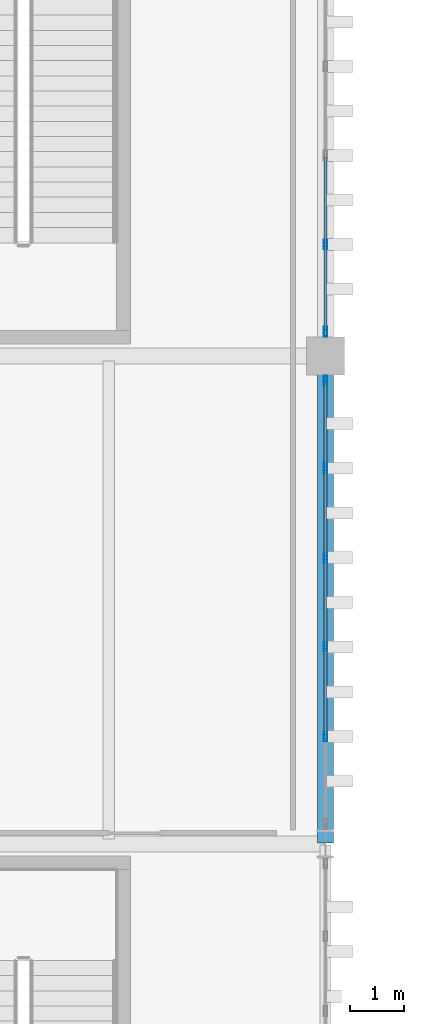
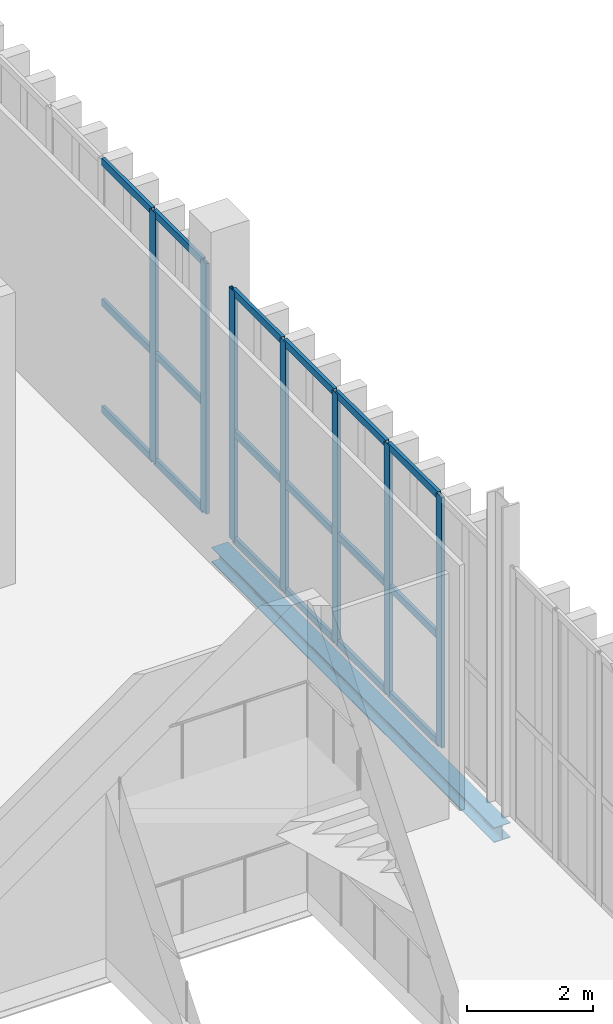
# One storey, part 161 of 237: 25 members, 1 beam, 2 elements without a shape of their own.
"""IFC4 building model written with IfcOpenShell, lengths in metres."""

from ifc_helpers import new_model, si_unit, direction, frame, origin, origin_2d, place, context, subcontext, project, spatial, hollow_rectangle, i_section, extrude, material, layer, layer_set, material_profile, profile_set, type_object, element, aggregate, save


model = new_model("IFC4")

# Units and contexts
model_context = context("Model", 3, precision=1e-05, world=origin(), true_north=direction((0.0, 1.0)))
body_context = subcontext(model_context, "Body", "Model", "MODEL_VIEW")
ifc_project = project(units=[si_unit("LENGTHUNIT", "METRE"), si_unit("AREAUNIT", "SQUARE_METRE"), si_unit("VOLUMEUNIT", "CUBIC_METRE"), si_unit("PLANEANGLEUNIT", "RADIAN"), si_unit("MASSUNIT", "GRAM", prefix="KILO")], contexts=[model_context])

# Site, building, storey
site_placement = place(None, origin())
site = spatial("IfcSite", under=ifc_project, at=site_placement, CompositionType="ELEMENT")
building_placement = place(site_placement, origin())
building = spatial("IfcBuilding", under=site, at=building_placement, Name="Barlavento Convention Centre", CompositionType="ELEMENT")
storey_placement = place(building_placement, frame((0.0, 0.0, 12.0)))
storey = spatial("IfcBuildingStorey", under=building, at=storey_placement, Name="L02", CompositionType="ELEMENT", Elevation=12.0)

# Curtain wall, members
ifc_material_1 = material(Name="Powder-coated aluminium and Low-E glass", Category="aluminium")
ifc_layer = layer(ifc_material_1, 0.195068359375)
ifc_layer_set = layer_set([ifc_layer], Name="ARC-CW-BALL-L02")
curtain_wall_type = type_object("IfcCurtainWallType", Name="ARC-CW-BALL-L02", PredefinedType="NOTDEFINED", material=ifc_layer_set)
curtain_wall_1_placement = place(storey_placement, origin())
curtain_wall_1 = element("IfcCurtainWall", 1, at=curtain_wall_1_placement, inside=storey, type_object=curtain_wall_type, Name="L02 unitised curtain wall CW07", PredefinedType="NOTDEFINED")
ifc_material_2 = material(Name="Powder-coated aluminium", Category="aluminium")
ifc_material_profile_1 = material_profile(ifc_material_2, hollow_rectangle(XDim=0.06005859375, YDim=0.179931640625, WallThickness=0.0048828125, at=origin_2d()), Name="AL-MULL 60x180x5")
ifc_profile_set_1 = profile_set([ifc_material_profile_1], Name="Powder-coated aluminium")
member_type_1 = type_object("IfcMemberType", Name="ARC-CWM-60X180", PredefinedType="MULLION", material=ifc_profile_set_1)
member_1_placement = place(storey_placement, frame((192.0, 64.981689453125, 0.0), z_axis=(0.0, 0.0, 1.0), x_axis=(-1.0, 0.0, 0.0)))
member_1 = element("IfcMember", 2, at=member_1_placement, type_object=member_type_1, Name="CW07 mullion 2", PredefinedType="MULLION", context=body_context, shape_type="SweptSolid", body=[
    extrude(hollow_rectangle(XDim=0.06005859375, YDim=0.179931640625, WallThickness=0.0048828125, at=origin_2d()), origin(), (0.0, 0.0, 1.0), 4.85009765625),
])
member_2_placement = place(storey_placement, frame((192.0, 66.631103515625, 0.0), z_axis=(0.0, 0.0, 1.0), x_axis=(-1.0, 0.0, 0.0)))
member_2 = element("IfcMember", 3, at=member_2_placement, type_object=member_type_1, Name="CW07 mullion 3", PredefinedType="MULLION", context=body_context, shape_type="SweptSolid", body=[
    extrude(hollow_rectangle(XDim=0.06005859375, YDim=0.179931640625, WallThickness=0.0048828125, at=origin_2d()), origin(), (0.0, 0.0, 1.0), 4.85009765625),
])
member_3_placement = place(storey_placement, frame((192.0, 68.28076171875, 0.0), z_axis=(0.0, 0.0, 1.0), x_axis=(-1.0, 0.0, 0.0)))
member_3 = element("IfcMember", 4, at=member_3_placement, type_object=member_type_1, Name="CW07 mullion 4", PredefinedType="MULLION", context=body_context, shape_type="SweptSolid", body=[
    extrude(hollow_rectangle(XDim=0.06005859375, YDim=0.179931640625, WallThickness=0.0048828125, at=origin_2d()), origin(), (0.0, 0.0, 1.0), 4.85009765625),
])
member_4_placement = place(storey_placement, frame((192.0, 69.930419921875, 0.0), z_axis=(0.0, 0.0, 1.0), x_axis=(-1.0, 0.0, 0.0)))
member_4 = element("IfcMember", 5, at=member_4_placement, type_object=member_type_1, Name="CW07 mullion 5", PredefinedType="MULLION", context=body_context, shape_type="SweptSolid", body=[
    extrude(hollow_rectangle(XDim=0.06005859375, YDim=0.179931640625, WallThickness=0.0048828125, at=origin_2d()), origin(), (0.0, 0.0, 1.0), 4.85009765625),
])
member_5_placement = place(storey_placement, frame((192.0, 71.550048828125, 0.0), z_axis=(0.0, 0.0, 1.0), x_axis=(-1.0, 0.0, 0.0)))
member_5 = element("IfcMember", 6, at=member_5_placement, type_object=member_type_1, Name="CW07 mullion 6", PredefinedType="MULLION", context=body_context, shape_type="SweptSolid", body=[
    extrude(hollow_rectangle(XDim=0.06005859375, YDim=0.179931640625, WallThickness=0.0048828125, at=origin_2d()), origin(), (0.0, 0.0, 1.0), 4.85009765625),
])

curtain_wall_2_placement = place(storey_placement, origin())
curtain_wall_2 = element("IfcCurtainWall", 7, at=curtain_wall_2_placement, inside=storey, type_object=curtain_wall_type, Name="L02 unitised curtain wall CW07", PredefinedType="NOTDEFINED")
member_6_placement = place(storey_placement, frame((192.0, 72.449951171875, 0.0), z_axis=(0.0, 0.0, 1.0), x_axis=(-1.0, 0.0, 0.0)))
member_6 = element("IfcMember", 8, at=member_6_placement, type_object=member_type_1, Name="CW07 mullion 1", PredefinedType="MULLION", context=body_context, shape_type="SweptSolid", body=[
    extrude(hollow_rectangle(XDim=0.06005859375, YDim=0.179931640625, WallThickness=0.0048828125, at=origin_2d()), origin(), (0.0, 0.0, 1.0), 4.85009765625),
])
member_7_placement = place(storey_placement, frame((192.0, 74.06005859375, 0.0), z_axis=(0.0, 0.0, 1.0), x_axis=(-1.0, 0.0, 0.0)))
member_7 = element("IfcMember", 9, at=member_7_placement, type_object=member_type_1, Name="CW07 mullion 2", PredefinedType="MULLION", context=body_context, shape_type="SweptSolid", body=[
    extrude(hollow_rectangle(XDim=0.06005859375, YDim=0.179931640625, WallThickness=0.0048828125, at=origin_2d()), origin(), (0.0, 0.0, 1.0), 4.85009765625),
])

# Member
ifc_material_profile_2 = material_profile(ifc_material_2, hollow_rectangle(XDim=0.06005859375, YDim=0.139892578125, WallThickness=0.00390625, at=origin_2d()), Name="AL-TRAN 60x140x4")
ifc_profile_set_2 = profile_set([ifc_material_profile_2], Name="Powder-coated aluminium")
member_type_2 = type_object("IfcMemberType", Name="ARC-CWT-60X140", PredefinedType="USERDEFINED", material=ifc_profile_set_2)
member_8_placement = place(storey_placement, frame((192.0, 65.01171875, 0.030029296875), z_axis=(0.0, 1.0, 0.0), x_axis=(-1.0, 0.0, 0.0)))
member_8 = element("IfcMember", 10, at=member_8_placement, type_object=member_type_2, Name="CW07 transom 2.1", ObjectType="TRANSOM", PredefinedType="USERDEFINED", context=body_context, shape_type="SweptSolid", body=[
    extrude(hollow_rectangle(XDim=0.06005859375, YDim=0.139892578125, WallThickness=0.00390625, at=origin_2d()), origin(), (0.0, 0.0, 1.0), 1.589599609375),
])

member_9_placement = place(storey_placement, frame((192.0, 65.01171875, 2.10009765625), z_axis=(0.0, 1.0, 0.0), x_axis=(-1.0, 0.0, 0.0)))
member_9 = element("IfcMember", 11, at=member_9_placement, type_object=member_type_2, Name="CW07 transom 2.2", ObjectType="TRANSOM", PredefinedType="USERDEFINED", context=body_context, shape_type="SweptSolid", body=[
    extrude(hollow_rectangle(XDim=0.06005859375, YDim=0.139892578125, WallThickness=0.00390625, at=origin_2d()), origin(), (0.0, 0.0, 1.0), 1.589599609375),
])

member_10_placement = place(storey_placement, frame((192.0, 65.01171875, 4.820068359375), z_axis=(0.0, 1.0, 0.0), x_axis=(-1.0, 0.0, 0.0)))
member_10 = element("IfcMember", 12, at=member_10_placement, type_object=member_type_2, Name="CW07 transom 2.3", ObjectType="TRANSOM", PredefinedType="USERDEFINED", context=body_context, shape_type="SweptSolid", body=[
    extrude(hollow_rectangle(XDim=0.06005859375, YDim=0.139892578125, WallThickness=0.00390625, at=origin_2d()), origin(), (0.0, 0.0, 1.0), 1.589599609375),
])

member_11_placement = place(storey_placement, frame((192.0, 66.6611328125, 0.030029296875), z_axis=(0.0, 1.0, 0.0), x_axis=(-1.0, 0.0, 0.0)))
member_11 = element("IfcMember", 13, at=member_11_placement, type_object=member_type_2, Name="CW07 transom 3.1", ObjectType="TRANSOM", PredefinedType="USERDEFINED", context=body_context, shape_type="SweptSolid", body=[
    extrude(hollow_rectangle(XDim=0.06005859375, YDim=0.139892578125, WallThickness=0.00390625, at=origin_2d()), origin(), (0.0, 0.0, 1.0), 1.589599609375),
])

member_12_placement = place(storey_placement, frame((192.0, 66.6611328125, 2.10009765625), z_axis=(0.0, 1.0, 0.0), x_axis=(-1.0, 0.0, 0.0)))
member_12 = element("IfcMember", 14, at=member_12_placement, type_object=member_type_2, Name="CW07 transom 3.2", ObjectType="TRANSOM", PredefinedType="USERDEFINED", context=body_context, shape_type="SweptSolid", body=[
    extrude(hollow_rectangle(XDim=0.06005859375, YDim=0.139892578125, WallThickness=0.00390625, at=origin_2d()), origin(), (0.0, 0.0, 1.0), 1.589599609375),
])

member_13_placement = place(storey_placement, frame((192.0, 66.6611328125, 4.820068359375), z_axis=(0.0, 1.0, 0.0), x_axis=(-1.0, 0.0, 0.0)))
member_13 = element("IfcMember", 15, at=member_13_placement, type_object=member_type_2, Name="CW07 transom 3.3", ObjectType="TRANSOM", PredefinedType="USERDEFINED", context=body_context, shape_type="SweptSolid", body=[
    extrude(hollow_rectangle(XDim=0.06005859375, YDim=0.139892578125, WallThickness=0.00390625, at=origin_2d()), origin(), (0.0, 0.0, 1.0), 1.589599609375),
])

member_14_placement = place(storey_placement, frame((192.0, 68.310791015625, 0.030029296875), z_axis=(0.0, 1.0, 0.0), x_axis=(-1.0, 0.0, 0.0)))
member_14 = element("IfcMember", 16, at=member_14_placement, type_object=member_type_2, Name="CW07 transom 4.1", ObjectType="TRANSOM", PredefinedType="USERDEFINED", context=body_context, shape_type="SweptSolid", body=[
    extrude(hollow_rectangle(XDim=0.06005859375, YDim=0.139892578125, WallThickness=0.00390625, at=origin_2d()), origin(), (0.0, 0.0, 1.0), 1.589599609375),
])

member_15_placement = place(storey_placement, frame((192.0, 68.310791015625, 2.10009765625), z_axis=(0.0, 1.0, 0.0), x_axis=(-1.0, 0.0, 0.0)))
member_15 = element("IfcMember", 17, at=member_15_placement, type_object=member_type_2, Name="CW07 transom 4.2", ObjectType="TRANSOM", PredefinedType="USERDEFINED", context=body_context, shape_type="SweptSolid", body=[
    extrude(hollow_rectangle(XDim=0.06005859375, YDim=0.139892578125, WallThickness=0.00390625, at=origin_2d()), origin(), (0.0, 0.0, 1.0), 1.589599609375),
])

member_16_placement = place(storey_placement, frame((192.0, 68.310791015625, 4.820068359375), z_axis=(0.0, 1.0, 0.0), x_axis=(-1.0, 0.0, 0.0)))
member_16 = element("IfcMember", 18, at=member_16_placement, type_object=member_type_2, Name="CW07 transom 4.3", ObjectType="TRANSOM", PredefinedType="USERDEFINED", context=body_context, shape_type="SweptSolid", body=[
    extrude(hollow_rectangle(XDim=0.06005859375, YDim=0.139892578125, WallThickness=0.00390625, at=origin_2d()), origin(), (0.0, 0.0, 1.0), 1.589599609375),
])

member_17_placement = place(storey_placement, frame((192.0, 69.96044921875, 0.030029296875), z_axis=(0.0, 1.0, 0.0), x_axis=(-1.0, 0.0, 0.0)))
member_17 = element("IfcMember", 19, at=member_17_placement, type_object=member_type_2, Name="CW07 transom 5.1", ObjectType="TRANSOM", PredefinedType="USERDEFINED", context=body_context, shape_type="SweptSolid", body=[
    extrude(hollow_rectangle(XDim=0.06005859375, YDim=0.139892578125, WallThickness=0.00390625, at=origin_2d()), origin(), (0.0, 0.0, 1.0), 1.5595703125),
])

member_18_placement = place(storey_placement, frame((192.0, 69.96044921875, 2.10009765625), z_axis=(0.0, 1.0, 0.0), x_axis=(-1.0, 0.0, 0.0)))
member_18 = element("IfcMember", 20, at=member_18_placement, type_object=member_type_2, Name="CW07 transom 5.2", ObjectType="TRANSOM", PredefinedType="USERDEFINED", context=body_context, shape_type="SweptSolid", body=[
    extrude(hollow_rectangle(XDim=0.06005859375, YDim=0.139892578125, WallThickness=0.00390625, at=origin_2d()), origin(), (0.0, 0.0, 1.0), 1.5595703125),
])

member_19_placement = place(storey_placement, frame((192.0, 69.96044921875, 4.820068359375), z_axis=(0.0, 1.0, 0.0), x_axis=(-1.0, 0.0, 0.0)))
member_19 = element("IfcMember", 21, at=member_19_placement, type_object=member_type_2, Name="CW07 transom 5.3", ObjectType="TRANSOM", PredefinedType="USERDEFINED", context=body_context, shape_type="SweptSolid", body=[
    extrude(hollow_rectangle(XDim=0.06005859375, YDim=0.139892578125, WallThickness=0.00390625, at=origin_2d()), origin(), (0.0, 0.0, 1.0), 1.5595703125),
])

aggregate(curtain_wall_1, [member_1, member_2, member_3, member_4, member_5, member_8, member_9, member_10, member_11, member_12, member_13, member_14, member_15, member_16, member_17, member_18, member_19])

member_20_placement = place(storey_placement, frame((192.0, 72.47998046875, 0.030029296875), z_axis=(0.0, 1.0, 0.0), x_axis=(-1.0, 0.0, 0.0)))
member_20 = element("IfcMember", 22, at=member_20_placement, type_object=member_type_2, Name="CW07 transom 1.1", ObjectType="TRANSOM", PredefinedType="USERDEFINED", context=body_context, shape_type="SweptSolid", body=[
    extrude(hollow_rectangle(XDim=0.06005859375, YDim=0.139892578125, WallThickness=0.00390625, at=origin_2d()), origin(), (0.0, 0.0, 1.0), 1.550048828125),
])

member_21_placement = place(storey_placement, frame((192.0, 72.47998046875, 2.10009765625), z_axis=(0.0, 1.0, 0.0), x_axis=(-1.0, 0.0, 0.0)))
member_21 = element("IfcMember", 23, at=member_21_placement, type_object=member_type_2, Name="CW07 transom 1.2", ObjectType="TRANSOM", PredefinedType="USERDEFINED", context=body_context, shape_type="SweptSolid", body=[
    extrude(hollow_rectangle(XDim=0.06005859375, YDim=0.139892578125, WallThickness=0.00390625, at=origin_2d()), origin(), (0.0, 0.0, 1.0), 1.550048828125),
])

member_22_placement = place(storey_placement, frame((192.0, 72.47998046875, 4.820068359375), z_axis=(0.0, 1.0, 0.0), x_axis=(-1.0, 0.0, 0.0)))
member_22 = element("IfcMember", 24, at=member_22_placement, type_object=member_type_2, Name="CW07 transom 1.3", ObjectType="TRANSOM", PredefinedType="USERDEFINED", context=body_context, shape_type="SweptSolid", body=[
    extrude(hollow_rectangle(XDim=0.06005859375, YDim=0.139892578125, WallThickness=0.00390625, at=origin_2d()), origin(), (0.0, 0.0, 1.0), 1.550048828125),
])

member_23_placement = place(storey_placement, frame((192.0, 74.090087890625, 0.030029296875), z_axis=(0.0, 1.0, 0.0), x_axis=(-1.0, 0.0, 0.0)))
member_23 = element("IfcMember", 25, at=member_23_placement, type_object=member_type_2, Name="CW07 transom 2.1", ObjectType="TRANSOM", PredefinedType="USERDEFINED", context=body_context, shape_type="SweptSolid", body=[
    extrude(hollow_rectangle(XDim=0.06005859375, YDim=0.139892578125, WallThickness=0.00390625, at=origin_2d()), origin(), (0.0, 0.0, 1.0), 1.579833984375),
])

member_24_placement = place(storey_placement, frame((192.0, 74.090087890625, 2.10009765625), z_axis=(0.0, 1.0, 0.0), x_axis=(-1.0, 0.0, 0.0)))
member_24 = element("IfcMember", 26, at=member_24_placement, type_object=member_type_2, Name="CW07 transom 2.2", ObjectType="TRANSOM", PredefinedType="USERDEFINED", context=body_context, shape_type="SweptSolid", body=[
    extrude(hollow_rectangle(XDim=0.06005859375, YDim=0.139892578125, WallThickness=0.00390625, at=origin_2d()), origin(), (0.0, 0.0, 1.0), 1.579833984375),
])

member_25_placement = place(storey_placement, frame((192.0, 74.090087890625, 4.820068359375), z_axis=(0.0, 1.0, 0.0), x_axis=(-1.0, 0.0, 0.0)))
member_25 = element("IfcMember", 27, at=member_25_placement, type_object=member_type_2, Name="CW07 transom 2.3", ObjectType="TRANSOM", PredefinedType="USERDEFINED", context=body_context, shape_type="SweptSolid", body=[
    extrude(hollow_rectangle(XDim=0.06005859375, YDim=0.139892578125, WallThickness=0.00390625, at=origin_2d()), origin(), (0.0, 0.0, 1.0), 1.579833984375),
])

aggregate(curtain_wall_2, [member_6, member_7, member_20, member_21, member_22, member_23, member_24, member_25])

# Beam
ifc_material_3 = material(Name="Steel S355", Category="steel")
ifc_material_profile_3 = material_profile(ifc_material_3, i_section(OverallWidth=0.300048828125, OverallDepth=0.2900390625, WebThickness=0.008544921875, FlangeThickness=0.013916015625, FilletRadius=0.027099609375, at=origin_2d()), Name="HEA 300")
ifc_profile_set_3 = profile_set([ifc_material_profile_3], Name="Steel S355")
beam_type = type_object("IfcBeamType", Name="STR-BM-SPN-HEA300", PredefinedType="SPANDREL", material=ifc_profile_set_3)
beam_placement = place(storey_placement, frame((192.0, 63.02001953125, -0.5048828125), z_axis=(0.0, 1.0, 0.0), x_axis=(-1.0, 0.0, 0.0)))
element("IfcBeam", 28, at=beam_placement, inside=storey, type_object=beam_type, Name="L02 grid girder SP02", PredefinedType="SPANDREL", context=body_context, shape_type="SweptSolid", body=[
    extrude(i_section(OverallWidth=0.300048828125, OverallDepth=0.2900390625, WebThickness=0.008544921875, FlangeThickness=0.013916015625, FilletRadius=0.027099609375, at=origin_2d()), origin(), (0.0, 0.0, 1.0), 8.9599609375),
])

save(model, "model.ifc")
